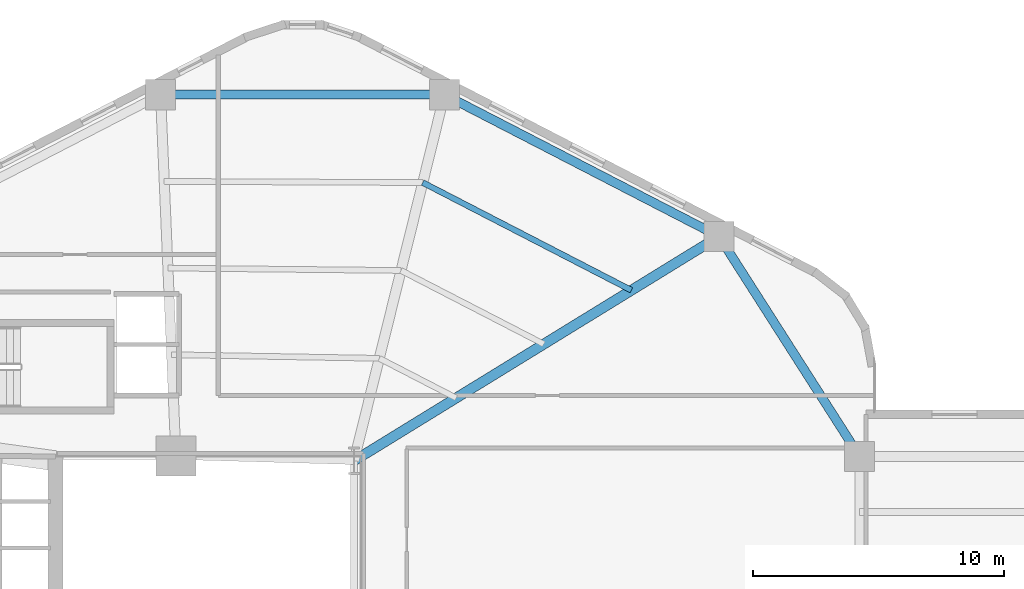
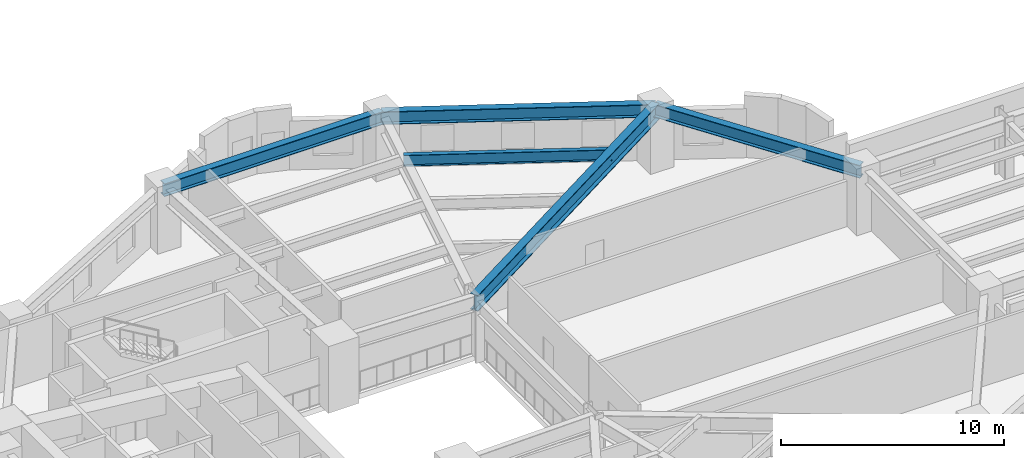
# One storey, part 2 of 10: 5 beams.
"""IFC4 building model written with IfcOpenShell, lengths in metres."""

from ifc_helpers import new_model, si_unit, direction, frame, origin, origin_2d, place, context, subcontext, project, spatial, i_section, extrude, material, material_profile, profile_set, type_object, element, save


model = new_model("IFC4")

# Units and contexts
model_context = context("Model", 3, precision=1e-05, world=origin(), true_north=direction((0.0, 1.0)))
body_context = subcontext(model_context, "Body", "Model", "MODEL_VIEW")
ifc_project = project(units=[si_unit("LENGTHUNIT", "METRE"), si_unit("AREAUNIT", "SQUARE_METRE"), si_unit("VOLUMEUNIT", "CUBIC_METRE"), si_unit("PLANEANGLEUNIT", "RADIAN"), si_unit("MASSUNIT", "GRAM", prefix="KILO"), si_unit("THERMODYNAMICTEMPERATUREUNIT", "KELVIN"), si_unit("POWERUNIT", "WATT")], contexts=[model_context])

# Site, building, storey
site_placement = place(None, origin())
site = spatial("IfcSite", under=ifc_project, at=site_placement, CompositionType="ELEMENT")
building_placement = place(site_placement, origin())
building = spatial("IfcBuilding", under=site, at=building_placement, Name="Skarre Station Tower", CompositionType="ELEMENT")
storey_placement = place(building_placement, frame((0.0, 0.0, 59.85009765625)))
storey = spatial("IfcBuildingStorey", under=building, at=storey_placement, Name="L15", CompositionType="ELEMENT", Elevation=59.85009765625)

# Beams
ifc_material = material(Name="Steel ASTM A992 Grade 50", Category="steel")
ifc_material_profile_1 = material_profile(ifc_material, i_section(OverallWidth=0.40087890625, OverallDepth=0.876953125, WebThickness=0.02197265625, FlangeThickness=0.0400390625, at=origin_2d()), Name="Steel ASTM A992 Grade 50")
ifc_profile_set_1 = profile_set([ifc_material_profile_1], Name="Steel ASTM A992 Grade 50")
beam_type_1 = type_object("IfcBeamType", Name="Steel Beam W33X263", PredefinedType="BEAM", material=ifc_profile_set_1)
beam_1_placement = place(storey_placement, frame((39.449951171875, 29.35009765625, 2.951904296875), z_axis=(0.851925565957, 0.523662897358, 0.0), x_axis=(-0.523662897358, 0.851925565957, 0.0)))
element("IfcBeam", 1, at=beam_1_placement, inside=storey, type_object=beam_type_1, Name="L15 Radial Floor Girder F0C1", PredefinedType="BEAM", context=body_context, shape_type="SweptSolid", body=[
    extrude(i_section(OverallWidth=0.40087890625, OverallDepth=0.876953125, WebThickness=0.02197265625, FlangeThickness=0.0400390625, at=origin_2d()), origin(), (0.0, 0.0, 1.0), 17.08740234375),
])
ifc_material_profile_2 = material_profile(ifc_material, i_section(OverallWidth=0.22802734375, OverallDepth=0.60791015625, WebThickness=0.010986328125, FlangeThickness=0.01708984375, at=origin_2d()), Name="Steel ASTM A992 Grade 50")
ifc_profile_set_2 = profile_set([ifc_material_profile_2], Name="Steel ASTM A992 Grade 50")
beam_type_2 = type_object("IfcBeamType", Name="Steel Joist W24X76", PredefinedType="JOIST", material=ifc_profile_set_2)
beam_2_placement = place(storey_placement, frame((50.512939453125, 36.14990234375, 3.0859375), z_axis=(-0.888594941555, 0.458692740125, 0.0), x_axis=(-0.458692740125, -0.888594941555, 0.0)))
element("IfcBeam", 2, at=beam_2_placement, inside=storey, type_object=beam_type_2, Name="L15 Secondary Floor Joist 3", PredefinedType="JOIST", context=body_context, shape_type="SweptSolid", body=[
    extrude(i_section(OverallWidth=0.22802734375, OverallDepth=0.60791015625, WebThickness=0.010986328125, FlangeThickness=0.01708984375, at=origin_2d()), origin(), (0.0, 0.0, 1.0), 9.36181640625),
])
ifc_material_profile_3 = material_profile(ifc_material, i_section(OverallWidth=0.35791015625, OverallDepth=0.7060546875, WebThickness=0.01806640625, FlangeThickness=0.030029296875, at=origin_2d()), Name="Steel ASTM A992 Grade 50")
ifc_profile_set_3 = profile_set([ifc_material_profile_3], Name="Steel ASTM A992 Grade 50")
beam_type_3 = type_object("IfcBeamType", Name="Steel Spandrel W27X178", PredefinedType="SPANDREL", material=ifc_profile_set_3)
beam_3_placement = place(storey_placement, frame((54.007080078125, 38.298095703125, 3.036865234375), z_axis=(-0.888658695823, 0.458569212158, 0.0), x_axis=(-0.458569212158, -0.888658695823, 0.0)))
element("IfcBeam", 3, at=beam_3_placement, inside=storey, type_object=beam_type_3, Name="L15 Facet Spandrel Beam 1", PredefinedType="SPANDREL", context=body_context, shape_type="SweptSolid", body=[
    extrude(i_section(OverallWidth=0.35791015625, OverallDepth=0.7060546875, WebThickness=0.01806640625, FlangeThickness=0.030029296875, at=origin_2d()), origin(), (0.0, 0.0, 1.0), 12.318603515625),
])
beam_4_placement = place(storey_placement, frame((43.06005859375, 43.947021484375, 3.036865234375), z_axis=(-1.0, 0.0, 0.0), x_axis=(0.0, -1.0, 0.0)))
element("IfcBeam", 4, at=beam_4_placement, inside=storey, type_object=beam_type_3, Name="L15 Facet Spandrel Beam 2", PredefinedType="SPANDREL", context=body_context, shape_type="SweptSolid", body=[
    extrude(i_section(OverallWidth=0.35791015625, OverallDepth=0.7060546875, WebThickness=0.01806640625, FlangeThickness=0.030029296875, at=origin_2d()), origin(), (0.0, 0.0, 1.0), 11.320068359375),
])
beam_5_placement = place(storey_placement, frame((59.613037109375, 29.52099609375, 3.036865234375), z_axis=(-0.538277829225, 0.842767452246, 0.0), x_axis=(-0.842767452246, -0.538277829225, 0.0)))
element("IfcBeam", 5, at=beam_5_placement, inside=storey, type_object=beam_type_3, Name="L15 Facet Spandrel Beam 12", PredefinedType="SPANDREL", context=body_context, shape_type="SweptSolid", body=[
    extrude(i_section(OverallWidth=0.35791015625, OverallDepth=0.7060546875, WebThickness=0.01806640625, FlangeThickness=0.030029296875, at=origin_2d()), origin(), (0.0, 0.0, 1.0), 10.41455078125),
])

save(model, "model.ifc")
